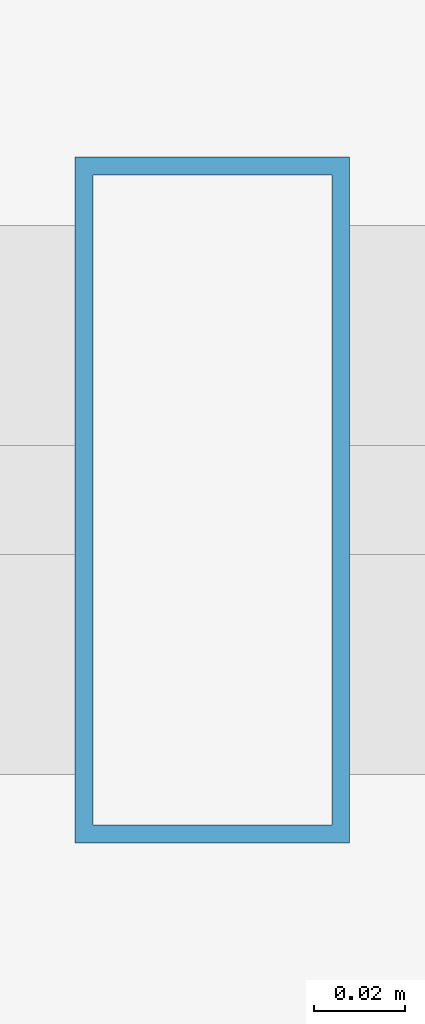
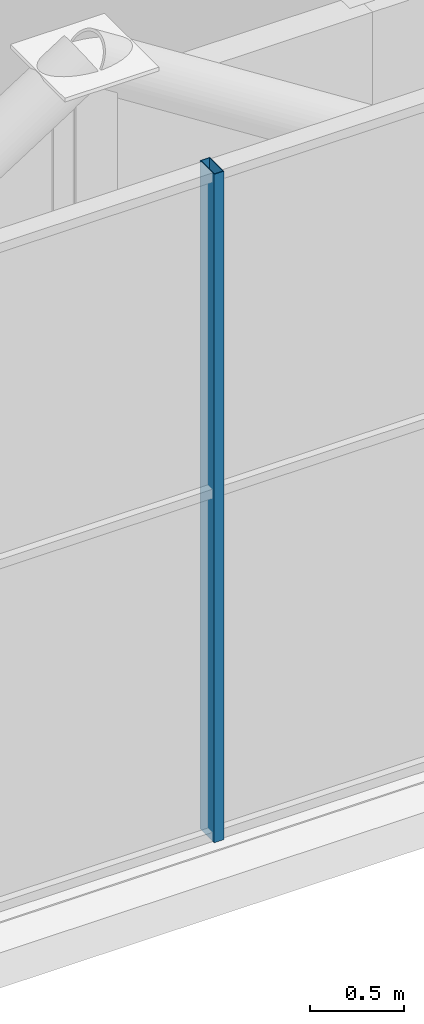
# One storey, part 7 of 26: 1 member, 1 element without a shape of its own.
"""IFC4 building model written with IfcOpenShell, lengths in metres."""

from ifc_helpers import new_model, si_unit, direction, frame, origin, origin_2d, place, context, subcontext, project, spatial, hollow_rectangle, extrude, source, transform, mapped, material, layer, layer_set, material_profile, profile_set, type_object, element, aggregate, save


model = new_model("IFC4")

# Units and contexts
model_context = context("Model", 3, precision=1e-05, world=origin(), true_north=direction((0.0, 1.0)))
body_context = subcontext(model_context, "Body", "Model", "MODEL_VIEW")
ifc_project = project(units=[si_unit("LENGTHUNIT", "METRE"), si_unit("AREAUNIT", "SQUARE_METRE"), si_unit("VOLUMEUNIT", "CUBIC_METRE"), si_unit("PLANEANGLEUNIT", "RADIAN"), si_unit("MASSUNIT", "GRAM", prefix="KILO")], contexts=[model_context])

# Site, building, storey
site_placement = place(None, origin())
site = spatial("IfcSite", under=ifc_project, at=site_placement, CompositionType="ELEMENT")
building_placement = place(site_placement, origin())
building = spatial("IfcBuilding", under=site, at=building_placement, Name="Zarnakvel Exchange Tower", CompositionType="ELEMENT")
storey_placement = place(building_placement, frame((0.0, 0.0, 285.39990234375)))
storey = spatial("IfcBuildingStorey", under=building, at=storey_placement, Name="Crown L80", CompositionType="ELEMENT", Elevation=285.39990234375)

# Curtain wall, member
ifc_material = material(Name="Architectural Bronze Anodised Aluminium", Category="aluminium")
ifc_layer = layer(ifc_material, 0.14990234375)
ifc_layer_set = layer_set([ifc_layer], Name="Architectural Bronze Anodised Aluminium")
curtain_wall_type = type_object("IfcCurtainWallType", Name="CW-07", PredefinedType="NOTDEFINED", material=ifc_layer_set)
curtain_wall_placement = place(storey_placement, origin())
curtain_wall = element("IfcCurtainWall", 1, at=curtain_wall_placement, inside=storey, type_object=curtain_wall_type, Name="Crown L80 Curtain Wall CW-Crown L80-S (CW-07)", PredefinedType="NOTDEFINED")
ifc_material_profile = material_profile(ifc_material, hollow_rectangle(XDim=0.14990234375, YDim=0.06005859375, WallThickness=0.00390625, at=origin_2d()))
ifc_profile_set = profile_set([ifc_material_profile], Name="Architectural Bronze Anodised Aluminium")
member_type = type_object("IfcMemberType", Name="CWM-07", PredefinedType="MULLION", material=ifc_profile_set)
shared_shape = source(origin(), body_context, "Body", "SweptSolid", [
    extrude(hollow_rectangle(XDim=0.14990234375, YDim=0.06005859375, WallThickness=0.00390625, at=origin_2d()), origin(), (0.0, 0.0, 1.0), 4.360107421875),
])
member_placement = place(storey_placement, frame((0.0, -15.909912109375, 0.0), z_axis=(0.0, 0.0, 1.0), x_axis=(0.0, 1.0, 0.0)))
member = element("IfcMember", 2, at=member_placement, type_object=member_type, Name="CW-07 mullion 4", PredefinedType="MULLION", context=body_context, shape_type="MappedRepresentation", body=[
    mapped(shared_shape, transform((0.0, 0.0, 0.0), x_axis=(1.0, 0.0, 0.0), y_axis=(0.0, 1.0, 0.0), z_axis=(0.0, 0.0, 1.0), scale=1.0)),
])
aggregate(curtain_wall, [member])

save(model, "model.ifc")
